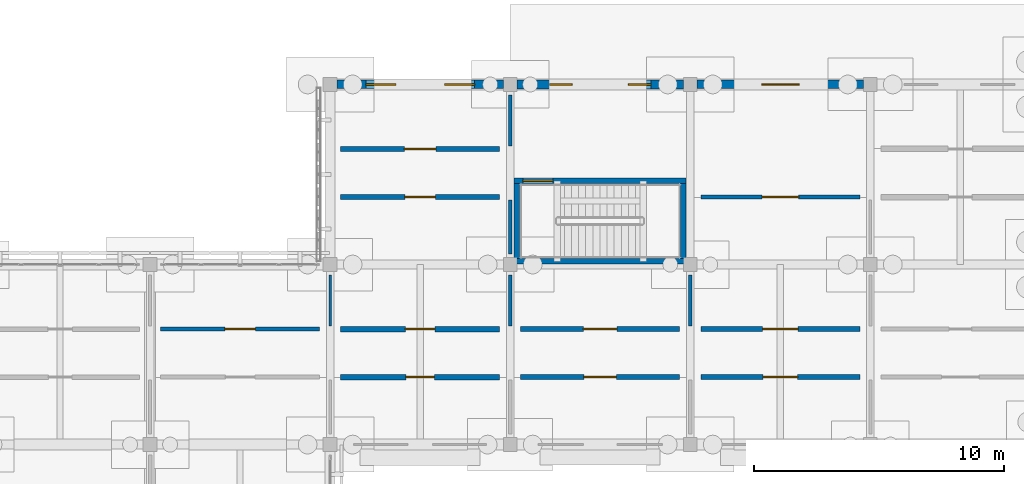
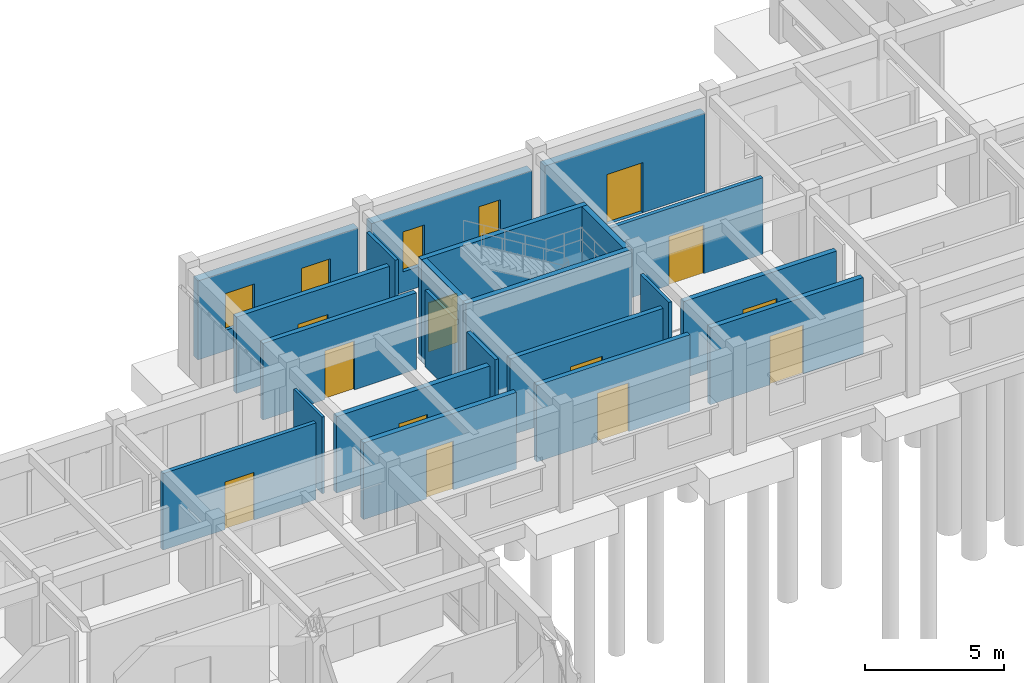
# One storey, part 75 of 111: 22 walls, 12 doors, 4 windows, 16 openings.
"""IFC4 building model written with IfcOpenShell, lengths in metres."""

from ifc_helpers import new_model, si_unit, direction, frame, frame_2d, origin, place, context, subcontext, project, spatial, rectangle, extrude, material, layer, layer_set, type_object, element, fill, save


model = new_model("IFC4")

# Units and contexts
model_context = context("Model", 3, precision=1e-05, world=origin(), true_north=direction((0.0, 1.0)))
body_context = subcontext(model_context, "Body", "Model", "MODEL_VIEW")
ifc_project = project(units=[si_unit("LENGTHUNIT", "METRE"), si_unit("AREAUNIT", "SQUARE_METRE"), si_unit("VOLUMEUNIT", "CUBIC_METRE"), si_unit("PLANEANGLEUNIT", "RADIAN"), si_unit("MASSUNIT", "GRAM", prefix="KILO")], contexts=[model_context])

# Site, building, storey
site_placement = place(None, origin())
site = spatial("IfcSite", under=ifc_project, at=site_placement, CompositionType="ELEMENT")
building_placement = place(site_placement, origin())
building = spatial("IfcBuilding", under=site, at=building_placement, Name="Aldebral Square Health Centre", CompositionType="ELEMENT")
storey_placement = place(building_placement, origin())
storey = spatial("IfcBuildingStorey", under=building, at=storey_placement, Name="L00", CompositionType="ELEMENT", Elevation=0.0)

# Wall, openings, windows
ifc_material_1 = material(Name="Cream cantera stone and concrete wall C35/45", Category="masonry")
ifc_layer_1 = layer(ifc_material_1, 0.340087890625, Name="Cream cantera stone and concrete wall C35/45", Category="masonry")
ifc_layer_set_1 = layer_set([ifc_layer_1], Name="Cream cantera stone and concrete wall C35/45")
wall_type_1 = type_object("IfcWallType", Name="EW-CAN-340", PredefinedType="SOLIDWALL", material=ifc_layer_set_1)
wall_1_placement = place(storey_placement, frame((114.925048828125, 108.0, 0.0), z_axis=(0.0, 0.0, 1.0), x_axis=(-1.0, 0.0, 0.0)))
wall_1 = element("IfcWall", 1, at=wall_1_placement, inside=storey, type_object=wall_type_1, Name="L00 V5 exterior wall L00-V5-15-14-N", PredefinedType="SOLIDWALL", context=body_context, shape_type="SweptSolid", body=[
    extrude(rectangle(XDim=6.650146484375, YDim=0.340087890625, at=frame_2d((3.3251953125, 0.0))), origin(), (0.0, 0.0, 1.0), 3.469970703125),
])
opening_1_placement = place(wall_1_placement, frame((1.14990234375, 0.0, 0.89990234375)))
opening_1 = element("IfcOpeningElement", 2, at=opening_1_placement, cuts=wall_1, Name="Opening W30", PredefinedType="OPENING", context=body_context, shape_type="SweptSolid", body=[
    extrude(rectangle(XDim=1.199951171875, YDim=1.6201171875, at=frame_2d((0.60009765625, 0.81005859375))), frame((0.0, 0.18017578125, 0.0), z_axis=(0.0, -1.0, 0.0), x_axis=(1.0, 0.0, 0.0)), (0.0, 0.0, 1.0), 0.360107421875),
])
opening_2_placement = place(wall_1_placement, frame((4.300048828125, 0.0, 0.89990234375)))
opening_2 = element("IfcOpeningElement", 3, at=opening_2_placement, cuts=wall_1, Name="Opening W30", PredefinedType="OPENING", context=body_context, shape_type="SweptSolid", body=[
    extrude(rectangle(XDim=1.199951171875, YDim=1.6201171875, at=frame_2d((0.60009765625, 0.81005859375))), frame((0.0, 0.18017578125, 0.0), z_axis=(0.0, -1.0, 0.0), x_axis=(1.0, 0.0, 0.0)), (0.0, 0.0, 1.0), 0.360107421875),
])
ifc_material_2 = material(Name="Thermally broken aluminium and low-E glass", Category="aluminium")
window_type_1 = type_object("IfcWindowType", Name="WIN-W30", PartitioningType="SINGLE_PANEL", PredefinedType="WINDOW", material=ifc_material_2)
window_1_placement = place(opening_1_placement, origin())
window_1 = element("IfcWindow", 4, at=window_1_placement, inside=storey, type_object=window_type_1, Name="L00 clinical window L00-V5-15-14-N.1", OverallHeight=1.6201171875, OverallWidth=1.199951171875, PartitioningType="SINGLE_PANEL", PredefinedType="WINDOW", context=body_context, shape_type="SweptSolid", body=[
    extrude(rectangle(XDim=1.199951171875, YDim=1.6201171875, at=frame_2d((0.60009765625, 0.81005859375))), frame((0.0, 0.030029296875, 0.0), z_axis=(0.0, -1.0, 0.0), x_axis=(1.0, 0.0, 0.0)), (0.0, 0.0, 1.0), 0.06005859375),
])
fill(opening_1, window_1)
window_2_placement = place(opening_2_placement, origin())
window_2 = element("IfcWindow", 5, at=window_2_placement, inside=storey, type_object=window_type_1, Name="L00 clinical window L00-V5-15-14-N.2", OverallHeight=1.6201171875, OverallWidth=1.199951171875, PartitioningType="SINGLE_PANEL", PredefinedType="WINDOW", context=body_context, shape_type="SweptSolid", body=[
    extrude(rectangle(XDim=1.199951171875, YDim=1.6201171875, at=frame_2d((0.60009765625, 0.81005859375))), frame((0.0, 0.030029296875, 0.0), z_axis=(0.0, -1.0, 0.0), x_axis=(1.0, 0.0, 0.0)), (0.0, 0.0, 1.0), 0.06005859375),
])
fill(opening_2, window_2)

# Wall, opening, door
wall_2_placement = place(storey_placement, frame((122.675048828125, 108.0, 0.0), z_axis=(0.0, 0.0, 1.0), x_axis=(1.0, 0.0, 0.0)))
wall_2 = element("IfcWall", 6, at=wall_2_placement, inside=storey, type_object=wall_type_1, Name="L00 V5 exterior wall L00-V5-17-14-N", PredefinedType="SOLIDWALL", context=body_context, shape_type="SweptSolid", body=[
    extrude(rectangle(XDim=6.64990234375, YDim=0.340087890625, at=frame_2d((3.324951171875, 0.0))), origin(), (0.0, 0.0, 1.0), 3.469970703125),
])
opening_3_placement = place(wall_2_placement, frame((2.574951171875, 0.0, 0.0)))
opening_3 = element("IfcOpeningElement", 7, at=opening_3_placement, cuts=wall_2, Name="Opening D-EX10", PredefinedType="OPENING", context=body_context, shape_type="SweptSolid", body=[
    extrude(rectangle(XDim=1.5, YDim=2.199951171875, at=frame_2d((0.75, 1.10009765625))), frame((0.0, 0.18017578125, 0.0), z_axis=(0.0, -1.0, 0.0), x_axis=(1.0, 0.0, 0.0)), (0.0, 0.0, 1.0), 0.360107421875),
])
ifc_material_3 = material(Name="Anodised aluminium and laminated safety glass", Category="aluminium")
door_type_1 = type_object("IfcDoorType", Name="DR-EX-150", OperationType="DOUBLE_DOOR_SINGLE_SWING", PredefinedType="DOOR", material=ifc_material_3)
door_1_placement = place(opening_3_placement, origin())
door_1 = element("IfcDoor", 8, at=door_1_placement, inside=storey, type_object=door_type_1, Name="L00 exterior door D-EX10", OperationType="DOUBLE_DOOR_SINGLE_SWING", OverallHeight=2.199951171875, OverallWidth=1.5, PredefinedType="DOOR", context=body_context, shape_type="SweptSolid", body=[
    extrude(rectangle(XDim=1.5, YDim=2.199951171875, at=frame_2d((0.75, 1.10009765625))), frame((0.0, 0.02490234375, 0.0), z_axis=(0.0, -1.0, 0.0), x_axis=(1.0, 0.0, 0.0)), (0.0, 0.0, 1.0), 0.050048828125),
])
fill(opening_3, door_1)

# Wall, openings, windows
ifc_layer_2 = layer(ifc_material_1, 0.360107421875, Name="Cream cantera stone and concrete wall C35/45", Category="masonry")
ifc_layer_set_2 = layer_set([ifc_layer_2], Name="Cream cantera stone and concrete wall C35/45")
wall_type_2 = type_object("IfcWallType", Name="EW-CAN-360", PredefinedType="SOLIDWALL", material=ifc_layer_set_2)
wall_3_placement = place(storey_placement, frame((122.125, 108.0, 0.0), z_axis=(0.0, 0.0, 1.0), x_axis=(-1.0, 0.0, 0.0)))
wall_3 = element("IfcWall", 9, at=wall_3_placement, inside=storey, type_object=wall_type_2, Name="L00 V5 exterior wall L00-V5-16-14-N", PredefinedType="SOLIDWALL", context=body_context, shape_type="SweptSolid", body=[
    extrude(rectangle(XDim=6.64990234375, YDim=0.360107421875, at=frame_2d((3.324951171875, 0.0))), origin(), (0.0, 0.0, 1.0), 3.469970703125),
])
opening_4_placement = place(wall_3_placement, frame((1.300048828125, 0.0, 0.89990234375)))
opening_4 = element("IfcOpeningElement", 10, at=opening_4_placement, cuts=wall_3, Name="Opening W37", PredefinedType="OPENING", context=body_context, shape_type="SweptSolid", body=[
    extrude(rectangle(XDim=0.89990234375, YDim=1.75, at=frame_2d((0.449951171875, 0.875))), frame((0.0, 0.18994140625, 0.0), z_axis=(0.0, -1.0, 0.0), x_axis=(1.0, 0.0, 0.0)), (0.0, 0.0, 1.0), 0.380126953125),
])
opening_5_placement = place(wall_3_placement, frame((4.449951171875, 0.0, 0.89990234375)))
opening_5 = element("IfcOpeningElement", 11, at=opening_5_placement, cuts=wall_3, Name="Opening W37", PredefinedType="OPENING", context=body_context, shape_type="SweptSolid", body=[
    extrude(rectangle(XDim=0.89990234375, YDim=1.75, at=frame_2d((0.449951171875, 0.875))), frame((0.0, 0.18994140625, 0.0), z_axis=(0.0, -1.0, 0.0), x_axis=(1.0, 0.0, 0.0)), (0.0, 0.0, 1.0), 0.380126953125),
])
window_type_2 = type_object("IfcWindowType", Name="WIN-W37", PartitioningType="SINGLE_PANEL", PredefinedType="WINDOW", material=ifc_material_2)
window_3_placement = place(opening_4_placement, origin())
window_3 = element("IfcWindow", 12, at=window_3_placement, inside=storey, type_object=window_type_2, Name="L00 clinical window L00-V5-16-14-N.1", OverallHeight=1.75, OverallWidth=0.89990234375, PartitioningType="SINGLE_PANEL", PredefinedType="WINDOW", context=body_context, shape_type="SweptSolid", body=[
    extrude(rectangle(XDim=0.89990234375, YDim=1.75, at=frame_2d((0.449951171875, 0.875))), frame((0.0, 0.030029296875, 0.0), z_axis=(0.0, -1.0, 0.0), x_axis=(1.0, 0.0, 0.0)), (0.0, 0.0, 1.0), 0.06005859375),
])
fill(opening_4, window_3)
window_4_placement = place(opening_5_placement, origin())
window_4 = element("IfcWindow", 13, at=window_4_placement, inside=storey, type_object=window_type_2, Name="L00 clinical window L00-V5-16-14-N.2", OverallHeight=1.75, OverallWidth=0.89990234375, PartitioningType="SINGLE_PANEL", PredefinedType="WINDOW", context=body_context, shape_type="SweptSolid", body=[
    extrude(rectangle(XDim=0.89990234375, YDim=1.75, at=frame_2d((0.449951171875, 0.875))), frame((0.0, 0.030029296875, 0.0), z_axis=(0.0, -1.0, 0.0), x_axis=(1.0, 0.0, 0.0)), (0.0, 0.0, 1.0), 0.06005859375),
])
fill(opening_5, window_4)

# Wall, opening, door
ifc_material_4 = material(Name="Concrete C35/45 compartment wall", Category="concrete")
ifc_layer_3 = layer(ifc_material_4, 0.199951171875, Name="Concrete C35/45 compartment wall", Category="concrete")
ifc_layer_set_3 = layer_set([ifc_layer_3], Name="Concrete C35/45 compartment wall")
wall_type_3 = type_object("IfcWallType", Name="IW-CMP-200", PredefinedType="SOLIDWALL", material=ifc_layer_set_3)
wall_4_placement = place(storey_placement, frame((108.419921875, 103.5, 0.0), z_axis=(0.0, 0.0, 1.0), x_axis=(1.0, 0.0, 0.0)))
wall_4 = element("IfcWall", 14, at=wall_4_placement, inside=storey, type_object=wall_type_3, Name="L00 Lactation Counseling Room 16.15S corridor wall", PredefinedType="SOLIDWALL", context=body_context, shape_type="SweptSolid", body=[
    extrude(rectangle(XDim=6.360107421875, YDim=0.199951171875, at=frame_2d((3.18017578125, 0.0))), origin(), (0.0, 0.0, 1.0), 3.360107421875),
])
opening_6_placement = place(wall_4_placement, frame((2.570068359375, 0.0, 0.0)))
opening_6 = element("IfcOpeningElement", 15, at=opening_6_placement, cuts=wall_4, Name="Opening D-0124", PredefinedType="OPENING", context=body_context, shape_type="SweptSolid", body=[
    extrude(rectangle(XDim=1.219970703125, YDim=2.139892578125, at=frame_2d((0.60986328125, 1.06982421875))), frame((0.0, 0.10986328125, 0.0), z_axis=(0.0, -1.0, 0.0), x_axis=(1.0, 0.0, 0.0)), (0.0, 0.0, 1.0), 0.219970703125),
])
ifc_material_5 = material(Name="Clinical suite fire door")
door_type_2 = type_object("IfcDoorType", Name="ID-EXD-40", OperationType="NOTDEFINED", PredefinedType="DOOR", material=ifc_material_5)
door_2_placement = place(opening_6_placement, origin())
door_2 = element("IfcDoor", 16, at=door_2_placement, inside=storey, type_object=door_type_2, Name="L00 Lactation Counseling Room 16.15S door", OperationType="SINGLE_SWING_LEFT", OverallHeight=2.139892578125, OverallWidth=1.219970703125, PredefinedType="DOOR", context=body_context, shape_type="SweptSolid", body=[
    extrude(rectangle(XDim=1.219970703125, YDim=2.139892578125, at=frame_2d((0.60986328125, 1.06982421875))), frame((0.0, 0.02490234375, 0.0), z_axis=(0.0, -1.0, 0.0), x_axis=(1.0, 0.0, 0.0)), (0.0, 0.0, 1.0), 0.050048828125),
])
fill(opening_6, door_2)

wall_5_placement = place(storey_placement, frame((108.419921875, 105.419921875, 0.0), z_axis=(0.0, 0.0, 1.0), x_axis=(1.0, 0.0, 0.0)))
wall_5 = element("IfcWall", 17, at=wall_5_placement, inside=storey, type_object=wall_type_3, Name="L00 Outpatient Blood Draw 16.15N corridor wall", PredefinedType="SOLIDWALL", context=body_context, shape_type="SweptSolid", body=[
    extrude(rectangle(XDim=6.360107421875, YDim=0.199951171875, at=frame_2d((3.18017578125, 0.0))), origin(), (0.0, 0.0, 1.0), 3.360107421875),
])
opening_7_placement = place(wall_5_placement, frame((2.550048828125, 0.0, 0.0)))
opening_7 = element("IfcOpeningElement", 18, at=opening_7_placement, cuts=wall_5, Name="Opening D-0125", PredefinedType="OPENING", context=body_context, shape_type="SweptSolid", body=[
    extrude(rectangle(XDim=1.260009765625, YDim=2.139892578125, at=frame_2d((0.6298828125, 1.06982421875))), frame((0.0, 0.10986328125, 0.0), z_axis=(0.0, -1.0, 0.0), x_axis=(1.0, 0.0, 0.0)), (0.0, 0.0, 1.0), 0.219970703125),
])
door_type_3 = type_object("IfcDoorType", Name="ID-EXD-41", OperationType="NOTDEFINED", PredefinedType="DOOR", material=ifc_material_5)
door_3_placement = place(opening_7_placement, origin())
door_3 = element("IfcDoor", 19, at=door_3_placement, inside=storey, type_object=door_type_3, Name="L00 Outpatient Blood Draw 16.15N door", OperationType="SINGLE_SWING_RIGHT", OverallHeight=2.139892578125, OverallWidth=1.260009765625, PredefinedType="DOOR", context=body_context, shape_type="SweptSolid", body=[
    extrude(rectangle(XDim=1.260009765625, YDim=2.139892578125, at=frame_2d((0.6298828125, 1.06982421875))), frame((0.0, 0.02490234375, 0.0), z_axis=(0.0, -1.0, 0.0), x_axis=(1.0, 0.0, 0.0)), (0.0, 0.0, 1.0), 0.050048828125),
])
fill(opening_7, door_3)

wall_6_placement = place(storey_placement, frame((115.6201171875, 96.300048828125, 0.0), z_axis=(0.0, 0.0, 1.0), x_axis=(1.0, 0.0, 0.0)))
wall_6 = element("IfcWall", 20, at=wall_6_placement, inside=storey, type_object=wall_type_3, Name="L00 Medical Records Archive 17.14S corridor wall", PredefinedType="SOLIDWALL", context=body_context, shape_type="SweptSolid", body=[
    extrude(rectangle(XDim=6.35986328125, YDim=0.199951171875, at=frame_2d((3.179931640625, 0.0))), origin(), (0.0, 0.0, 1.0), 3.360107421875),
])
opening_8_placement = place(wall_6_placement, frame((2.530029296875, 0.0, 0.0)))
opening_8 = element("IfcOpeningElement", 21, at=opening_8_placement, cuts=wall_6, Name="Opening D-0126", PredefinedType="OPENING", context=body_context, shape_type="SweptSolid", body=[
    extrude(rectangle(XDim=1.300048828125, YDim=2.139892578125, at=frame_2d((0.64990234375, 1.06982421875))), frame((0.0, 0.10986328125, 0.0), z_axis=(0.0, -1.0, 0.0), x_axis=(1.0, 0.0, 0.0)), (0.0, 0.0, 1.0), 0.219970703125),
])
door_type_4 = type_object("IfcDoorType", Name="ID-EXD-42", OperationType="NOTDEFINED", PredefinedType="DOOR", material=ifc_material_5)
door_4_placement = place(opening_8_placement, origin())
door_4 = element("IfcDoor", 22, at=door_4_placement, inside=storey, type_object=door_type_4, Name="L00 Medical Records Archive 17.14S door", OperationType="SINGLE_SWING_LEFT", OverallHeight=2.139892578125, OverallWidth=1.300048828125, PredefinedType="DOOR", context=body_context, shape_type="SweptSolid", body=[
    extrude(rectangle(XDim=1.300048828125, YDim=2.139892578125, at=frame_2d((0.64990234375, 1.06982421875))), frame((0.0, 0.02490234375, 0.0), z_axis=(0.0, -1.0, 0.0), x_axis=(1.0, 0.0, 0.0)), (0.0, 0.0, 1.0), 0.050048828125),
])
fill(opening_8, door_4)

wall_7_placement = place(storey_placement, frame((115.6201171875, 98.219970703125, 0.0), z_axis=(0.0, 0.0, 1.0), x_axis=(1.0, 0.0, 0.0)))
wall_7 = element("IfcWall", 23, at=wall_7_placement, inside=storey, type_object=wall_type_3, Name="L00 Standby Power Plant Room 17.14N corridor wall", PredefinedType="SOLIDWALL", context=body_context, shape_type="SweptSolid", body=[
    extrude(rectangle(XDim=6.35986328125, YDim=0.199951171875, at=frame_2d((3.179931640625, 0.0))), origin(), (0.0, 0.0, 1.0), 3.360107421875),
])
opening_9_placement = place(wall_7_placement, frame((2.510009765625, 0.0, 0.0)))
opening_9 = element("IfcOpeningElement", 24, at=opening_9_placement, cuts=wall_7, Name="Opening D-0127", PredefinedType="OPENING", context=body_context, shape_type="SweptSolid", body=[
    extrude(rectangle(XDim=1.340087890625, YDim=2.139892578125, at=frame_2d((0.669921875, 1.06982421875))), frame((0.0, 0.10986328125, 0.0), z_axis=(0.0, -1.0, 0.0), x_axis=(1.0, 0.0, 0.0)), (0.0, 0.0, 1.0), 0.219970703125),
])
door_type_5 = type_object("IfcDoorType", Name="ID-EXD-43", OperationType="NOTDEFINED", PredefinedType="DOOR", material=ifc_material_5)
door_5_placement = place(opening_9_placement, origin())
door_5 = element("IfcDoor", 25, at=door_5_placement, inside=storey, type_object=door_type_5, Name="L00 Standby Power Plant Room 17.14N door", OperationType="SINGLE_SWING_RIGHT", OverallHeight=2.139892578125, OverallWidth=1.340087890625, PredefinedType="DOOR", context=body_context, shape_type="SweptSolid", body=[
    extrude(rectangle(XDim=1.340087890625, YDim=2.139892578125, at=frame_2d((0.669921875, 1.06982421875))), frame((0.0, 0.02490234375, 0.0), z_axis=(0.0, -1.0, 0.0), x_axis=(1.0, 0.0, 0.0)), (0.0, 0.0, 1.0), 0.050048828125),
])
fill(opening_9, door_5)

ifc_layer_4 = layer(ifc_material_4, 0.219970703125, Name="Concrete C35/45 compartment wall", Category="concrete")
ifc_layer_set_4 = layer_set([ifc_layer_4], Name="Concrete C35/45 compartment wall")
wall_type_4 = type_object("IfcWallType", Name="IW-CMP-220", PredefinedType="SOLIDWALL", material=ifc_layer_set_4)
wall_8_placement = place(storey_placement, frame((108.419921875, 96.300048828125, 0.0), z_axis=(0.0, 0.0, 1.0), x_axis=(1.0, 0.0, 0.0)))
wall_8 = element("IfcWall", 26, at=wall_8_placement, inside=storey, type_object=wall_type_4, Name="L00 Maternal-Child Clinic 16.14S corridor wall", PredefinedType="SOLIDWALL", context=body_context, shape_type="SweptSolid", body=[
    extrude(rectangle(XDim=6.360107421875, YDim=0.219970703125, at=frame_2d((3.18017578125, 0.0))), origin(), (0.0, 0.0, 1.0), 3.360107421875),
])
opening_10_placement = place(wall_8_placement, frame((2.610107421875, 0.0, 0.0)))
opening_10 = element("IfcOpeningElement", 27, at=opening_10_placement, cuts=wall_8, Name="Opening D-0122", PredefinedType="OPENING", context=body_context, shape_type="SweptSolid", body=[
    extrude(rectangle(XDim=1.139892578125, YDim=2.139892578125, at=frame_2d((0.56982421875, 1.06982421875))), frame((0.0, 0.1201171875, 0.0), z_axis=(0.0, -1.0, 0.0), x_axis=(1.0, 0.0, 0.0)), (0.0, 0.0, 1.0), 0.239990234375),
])
door_type_6 = type_object("IfcDoorType", Name="ID-EXD-38", OperationType="NOTDEFINED", PredefinedType="DOOR", material=ifc_material_5)
door_6_placement = place(opening_10_placement, origin())
door_6 = element("IfcDoor", 28, at=door_6_placement, inside=storey, type_object=door_type_6, Name="L00 Maternal-Child Clinic 16.14S door", OperationType="SINGLE_SWING_LEFT", OverallHeight=2.139892578125, OverallWidth=1.139892578125, PredefinedType="DOOR", context=body_context, shape_type="SweptSolid", body=[
    extrude(rectangle(XDim=1.139892578125, YDim=2.139892578125, at=frame_2d((0.56982421875, 1.06982421875))), frame((0.0, 0.02490234375, 0.0), z_axis=(0.0, -1.0, 0.0), x_axis=(1.0, 0.0, 0.0)), (0.0, 0.0, 1.0), 0.050048828125),
])
fill(opening_10, door_6)

wall_9_placement = place(storey_placement, frame((108.419921875, 98.219970703125, 0.0), z_axis=(0.0, 0.0, 1.0), x_axis=(1.0, 0.0, 0.0)))
wall_9 = element("IfcWall", 29, at=wall_9_placement, inside=storey, type_object=wall_type_4, Name="L00 Prenatal Ultrasound Room 16.14N corridor wall", PredefinedType="SOLIDWALL", context=body_context, shape_type="SweptSolid", body=[
    extrude(rectangle(XDim=6.360107421875, YDim=0.219970703125, at=frame_2d((3.18017578125, 0.0))), origin(), (0.0, 0.0, 1.0), 3.360107421875),
])
opening_11_placement = place(wall_9_placement, frame((2.590087890625, 0.0, 0.0)))
opening_11 = element("IfcOpeningElement", 30, at=opening_11_placement, cuts=wall_9, Name="Opening D-0123", PredefinedType="OPENING", context=body_context, shape_type="SweptSolid", body=[
    extrude(rectangle(XDim=1.179931640625, YDim=2.139892578125, at=frame_2d((0.58984375, 1.06982421875))), frame((0.0, 0.1201171875, 0.0), z_axis=(0.0, -1.0, 0.0), x_axis=(1.0, 0.0, 0.0)), (0.0, 0.0, 1.0), 0.239990234375),
])
door_type_7 = type_object("IfcDoorType", Name="ID-EXD-39", OperationType="NOTDEFINED", PredefinedType="DOOR", material=ifc_material_5)
door_7_placement = place(opening_11_placement, origin())
door_7 = element("IfcDoor", 31, at=door_7_placement, inside=storey, type_object=door_type_7, Name="L00 Prenatal Ultrasound Room 16.14N door", OperationType="SINGLE_SWING_RIGHT", OverallHeight=2.139892578125, OverallWidth=1.179931640625, PredefinedType="DOOR", context=body_context, shape_type="SweptSolid", body=[
    extrude(rectangle(XDim=1.179931640625, YDim=2.139892578125, at=frame_2d((0.58984375, 1.06982421875))), frame((0.0, 0.02490234375, 0.0), z_axis=(0.0, -1.0, 0.0), x_axis=(1.0, 0.0, 0.0)), (0.0, 0.0, 1.0), 0.050048828125),
])
fill(opening_11, door_7)

ifc_material_6 = material(Name="Fire-rated acoustic gypsum partition")
ifc_layer_5 = layer(ifc_material_6, 0.1650390625, Name="Fire-rated acoustic gypsum partition")
ifc_layer_set_5 = layer_set([ifc_layer_5], Name="Fire-rated acoustic gypsum partition")
wall_type_5 = type_object("IfcWallType", Name="IW-COR-165", PredefinedType="PARTITIONING", material=ifc_layer_set_5)
wall_10_placement = place(storey_placement, frame((101.219970703125, 98.219970703125, 0.0), z_axis=(0.0, 0.0, 1.0), x_axis=(1.0, 0.0, 0.0)))
wall_10 = element("IfcWall", 32, at=wall_10_placement, inside=storey, type_object=wall_type_5, Name="L00 Outpatient Registration 15.14N corridor wall", PredefinedType="PARTITIONING", context=body_context, shape_type="SweptSolid", body=[
    extrude(rectangle(XDim=6.360107421875, YDim=0.1650390625, at=frame_2d((3.18017578125, 0.0))), origin(), (0.0, 0.0, 1.0), 3.360107421875),
])
opening_12_placement = place(wall_10_placement, frame((2.570068359375, 0.0, 0.0)))
opening_12 = element("IfcOpeningElement", 33, at=opening_12_placement, cuts=wall_10, Name="Opening D-FD60-29", PredefinedType="OPENING", context=body_context, shape_type="SweptSolid", body=[
    extrude(rectangle(XDim=1.219970703125, YDim=2.090087890625, at=frame_2d((0.60986328125, 1.044921875))), frame((0.0, 0.092529296875, 0.0), z_axis=(0.0, -1.0, 0.0), x_axis=(1.0, 0.0, 0.0)), (0.0, 0.0, 1.0), 0.18505859375),
])
door_type_8 = type_object("IfcDoorType", Name="ID-EXD-24", OperationType="NOTDEFINED", PredefinedType="DOOR", material=ifc_material_5)
door_8_placement = place(opening_12_placement, origin())
door_8 = element("IfcDoor", 34, at=door_8_placement, inside=storey, type_object=door_type_8, Name="L00 Outpatient Registration 15.14N door", OperationType="SINGLE_SWING_RIGHT", OverallHeight=2.090087890625, OverallWidth=1.219970703125, PredefinedType="DOOR", context=body_context, shape_type="SweptSolid", body=[
    extrude(rectangle(XDim=1.219970703125, YDim=2.090087890625, at=frame_2d((0.60986328125, 1.044921875))), frame((0.0, 0.02490234375, 0.0), z_axis=(0.0, -1.0, 0.0), x_axis=(1.0, 0.0, 0.0)), (0.0, 0.0, 1.0), 0.050048828125),
])
fill(opening_12, door_8)

wall_11_placement = place(storey_placement, frame((122.820068359375, 103.5, 0.0), z_axis=(0.0, 0.0, 1.0), x_axis=(1.0, 0.0, 0.0)))
wall_11 = element("IfcWall", 35, at=wall_11_placement, inside=storey, type_object=wall_type_5, Name="L00 Maternal-Child Clinic 18.15S corridor wall", PredefinedType="PARTITIONING", context=body_context, shape_type="SweptSolid", body=[
    extrude(rectangle(XDim=6.35986328125, YDim=0.1650390625, at=frame_2d((3.179931640625, 0.0))), origin(), (0.0, 0.0, 1.0), 3.360107421875),
])
opening_13_placement = place(wall_11_placement, frame((2.449951171875, 0.0, 0.0)))
opening_13 = element("IfcOpeningElement", 36, at=opening_13_placement, cuts=wall_11, Name="Opening D-0130", PredefinedType="OPENING", context=body_context, shape_type="SweptSolid", body=[
    extrude(rectangle(XDim=1.4599609375, YDim=2.139892578125, at=frame_2d((0.72998046875, 1.06982421875))), frame((0.0, 0.092529296875, 0.0), z_axis=(0.0, -1.0, 0.0), x_axis=(1.0, 0.0, 0.0)), (0.0, 0.0, 1.0), 0.18505859375),
])
door_type_9 = type_object("IfcDoorType", Name="ID-EXD-46", OperationType="NOTDEFINED", PredefinedType="DOOR", material=ifc_material_5)
door_9_placement = place(opening_13_placement, origin())
door_9 = element("IfcDoor", 37, at=door_9_placement, inside=storey, type_object=door_type_9, Name="L00 Maternal-Child Clinic 18.15S door", OperationType="SINGLE_SWING_LEFT", OverallHeight=2.139892578125, OverallWidth=1.4599609375, PredefinedType="DOOR", context=body_context, shape_type="SweptSolid", body=[
    extrude(rectangle(XDim=1.4599609375, YDim=2.139892578125, at=frame_2d((0.72998046875, 1.06982421875))), frame((0.0, 0.02490234375, 0.0), z_axis=(0.0, -1.0, 0.0), x_axis=(1.0, 0.0, 0.0)), (0.0, 0.0, 1.0), 0.050048828125),
])
fill(opening_13, door_9)

# Wall
ifc_material_7 = material(Name="Concrete C40/50", Category="concrete")
ifc_layer_6 = layer(ifc_material_7, 0.219970703125, Name="Concrete C40/50", Category="concrete")
ifc_layer_set_6 = layer_set([ifc_layer_6], Name="Concrete C40/50")
wall_type_6 = type_object("IfcWallType", Name="IW-CORE-280", PredefinedType="SHEAR", material=ifc_layer_set_6)
wall_12_placement = place(storey_placement, frame((115.360107421875, 100.929931640625, -0.25), z_axis=(0.0, 0.0, 1.0), x_axis=(1.0, 0.0, 0.0)))
element("IfcWall", 38, at=wall_12_placement, inside=storey, type_object=wall_type_6, Name="L00 WS-S10 shaft wall S", PredefinedType="SHEAR", context=body_context, shape_type="SweptSolid", body=[
    extrude(rectangle(XDim=6.8798828125, YDim=0.219970703125, at=frame_2d((3.43994140625, 0.0))), origin(), (0.0, 0.0, 1.0), 4.469970703125),
])

# Wall, opening, door
wall_13_placement = place(storey_placement, frame((115.360107421875, 104.14990234375, -0.25), z_axis=(0.0, 0.0, 1.0), x_axis=(1.0, 0.0, 0.0)))
wall_13 = element("IfcWall", 39, at=wall_13_placement, inside=storey, type_object=wall_type_6, Name="L00 WS-S10 shaft wall N", PredefinedType="SHEAR", context=body_context, shape_type="SweptSolid", body=[
    extrude(rectangle(XDim=6.8798828125, YDim=0.219970703125, at=frame_2d((3.43994140625, 0.0))), origin(), (0.0, 0.0, 1.0), 4.469970703125),
])
opening_14_placement = place(wall_13_placement, frame((0.35009765625, 0.0, 0.25)))
opening_14 = element("IfcOpeningElement", 40, at=opening_14_placement, cuts=wall_13, Name="Opening D-0075", PredefinedType="OPENING", context=body_context, shape_type="SweptSolid", body=[
    extrude(rectangle(XDim=1.199951171875, YDim=2.14990234375, at=frame_2d((0.60009765625, 1.074951171875))), frame((0.0, 0.1201171875, 0.0), z_axis=(0.0, -1.0, 0.0), x_axis=(1.0, 0.0, 0.0)), (0.0, 0.0, 1.0), 0.239990234375),
])
ifc_material_8 = material(Name="Fire-rated steel stair door", Category="steel")
door_type_10 = type_object("IfcDoorType", Name="ID-ST-120", OperationType="NOTDEFINED", PredefinedType="DOOR", material=ifc_material_8)
door_10_placement = place(opening_14_placement, origin())
door_10 = element("IfcDoor", 41, at=door_10_placement, inside=storey, type_object=door_type_10, Name="L00 ST-10 fire door", OperationType="SINGLE_SWING_LEFT", OverallHeight=2.14990234375, OverallWidth=1.199951171875, PredefinedType="DOOR", context=body_context, shape_type="SweptSolid", body=[
    extrude(rectangle(XDim=1.199951171875, YDim=2.14990234375, at=frame_2d((0.60009765625, 1.074951171875))), frame((0.0, 0.02490234375, 0.0), z_axis=(0.0, -1.0, 0.0), x_axis=(1.0, 0.0, 0.0)), (0.0, 0.0, 1.0), 0.050048828125),
])
fill(opening_14, door_10)

# Walls
for number, where, z_axis, x_axis, name in (
    (42, (115.469970703125, 101.0400390625, -0.25), (0.0, 0.0, 1.0), (0.0, 1.0, 0.0), "L00 WS-S10 shaft wall W"),
    (43, (122.1298828125, 101.0400390625, -0.25), (0.0, 0.0, 1.0), (0.0, 1.0, 0.0), "L00 WS-S10 shaft wall E"),
):
    element("IfcWall", number, at=place(storey_placement, frame(where, z_axis=z_axis, x_axis=x_axis)), inside=storey, type_object=wall_type_6, Name=name, PredefinedType="SHEAR", context=body_context, shape_type="SweptSolid", body=[
        extrude(rectangle(XDim=3.0, YDim=0.219970703125, at=frame_2d((1.5, 0.0))), origin(), (0.0, 0.0, 1.0), 4.469970703125),
    ])

# Wall, opening, door
ifc_material_9 = material(Name="Moisture-resistant sanitary chase wall")
ifc_layer_7 = layer(ifc_material_9, 0.2099609375, Name="Moisture-resistant sanitary chase wall")
ifc_layer_set_7 = layer_set([ifc_layer_7], Name="Moisture-resistant sanitary chase wall")
wall_type_7 = type_object("IfcWallType", Name="IW-PLB-210", PredefinedType="PLUMBINGWALL", material=ifc_layer_set_7)
wall_14_placement = place(storey_placement, frame((122.820068359375, 96.300048828125, 0.0), z_axis=(0.0, 0.0, 1.0), x_axis=(1.0, 0.0, 0.0)))
wall_14 = element("IfcWall", 44, at=wall_14_placement, inside=storey, type_object=wall_type_7, Name="L00 Accessible WC 18.14S corridor wall", PredefinedType="PLUMBINGWALL", context=body_context, shape_type="SweptSolid", body=[
    extrude(rectangle(XDim=6.35986328125, YDim=0.2099609375, at=frame_2d((3.179931640625, 0.0))), origin(), (0.0, 0.0, 1.0), 3.360107421875),
])
opening_15_placement = place(wall_14_placement, frame((2.489990234375, 0.0, 0.0)))
opening_15 = element("IfcOpeningElement", 45, at=opening_15_placement, cuts=wall_14, Name="Opening D-0128", PredefinedType="OPENING", context=body_context, shape_type="SweptSolid", body=[
    extrude(rectangle(XDim=1.3798828125, YDim=2.139892578125, at=frame_2d((0.68994140625, 1.06982421875))), frame((0.0, 0.114990234375, 0.0), z_axis=(0.0, -1.0, 0.0), x_axis=(1.0, 0.0, 0.0)), (0.0, 0.0, 1.0), 0.22998046875),
])
door_type_11 = type_object("IfcDoorType", Name="ID-EXD-44", OperationType="NOTDEFINED", PredefinedType="DOOR", material=ifc_material_5)
door_11_placement = place(opening_15_placement, origin())
door_11 = element("IfcDoor", 46, at=door_11_placement, inside=storey, type_object=door_type_11, Name="L00 Accessible WC 18.14S door", OperationType="SINGLE_SWING_LEFT", OverallHeight=2.139892578125, OverallWidth=1.3798828125, PredefinedType="DOOR", context=body_context, shape_type="SweptSolid", body=[
    extrude(rectangle(XDim=1.3798828125, YDim=2.139892578125, at=frame_2d((0.68994140625, 1.06982421875))), frame((0.0, 0.02490234375, 0.0), z_axis=(0.0, -1.0, 0.0), x_axis=(1.0, 0.0, 0.0)), (0.0, 0.0, 1.0), 0.050048828125),
])
fill(opening_15, door_11)

wall_15_placement = place(storey_placement, frame((122.820068359375, 98.219970703125, 0.0), z_axis=(0.0, 0.0, 1.0), x_axis=(1.0, 0.0, 0.0)))
wall_15 = element("IfcWall", 47, at=wall_15_placement, inside=storey, type_object=wall_type_7, Name="L00 Public Toilet 18.14N corridor wall", PredefinedType="PLUMBINGWALL", context=body_context, shape_type="SweptSolid", body=[
    extrude(rectangle(XDim=6.35986328125, YDim=0.2099609375, at=frame_2d((3.179931640625, 0.0))), origin(), (0.0, 0.0, 1.0), 3.360107421875),
])
opening_16_placement = place(wall_15_placement, frame((2.469970703125, 0.0, 0.0)))
opening_16 = element("IfcOpeningElement", 48, at=opening_16_placement, cuts=wall_15, Name="Opening D-0129", PredefinedType="OPENING", context=body_context, shape_type="SweptSolid", body=[
    extrude(rectangle(XDim=1.419921875, YDim=2.139892578125, at=frame_2d((0.7099609375, 1.06982421875))), frame((0.0, 0.114990234375, 0.0), z_axis=(0.0, -1.0, 0.0), x_axis=(1.0, 0.0, 0.0)), (0.0, 0.0, 1.0), 0.22998046875),
])
door_type_12 = type_object("IfcDoorType", Name="ID-EXD-45", OperationType="NOTDEFINED", PredefinedType="DOOR", material=ifc_material_5)
door_12_placement = place(opening_16_placement, origin())
door_12 = element("IfcDoor", 49, at=door_12_placement, inside=storey, type_object=door_type_12, Name="L00 Public Toilet 18.14N door", OperationType="SINGLE_SWING_RIGHT", OverallHeight=2.139892578125, OverallWidth=1.419921875, PredefinedType="DOOR", context=body_context, shape_type="SweptSolid", body=[
    extrude(rectangle(XDim=1.419921875, YDim=2.139892578125, at=frame_2d((0.7099609375, 1.06982421875))), frame((0.0, 0.02490234375, 0.0), z_axis=(0.0, -1.0, 0.0), x_axis=(1.0, 0.0, 0.0)), (0.0, 0.0, 1.0), 0.050048828125),
])
fill(opening_16, door_12)

# Walls
ifc_material_10 = material(Name="Lightweight clinical partition")
ifc_layer_8 = layer(ifc_material_10, 0.10498046875, Name="Lightweight clinical partition")
ifc_layer_set_8 = layer_set([ifc_layer_8], Name="Lightweight clinical partition")
wall_type_8 = type_object("IfcWallType", Name="IW-PRT-105", PredefinedType="PARTITIONING", material=ifc_layer_set_8)
wall_16_placement = place(storey_placement, frame((108.0, 98.340087890625, 0.0), z_axis=(0.0, 0.0, 1.0), x_axis=(0.0, 1.0, 0.0)))
element("IfcWall", 50, at=wall_16_placement, inside=storey, type_object=wall_type_8, Name="L00 Outpatient Registration 15.14N demising partition", PredefinedType="PARTITIONING", context=body_context, shape_type="SweptSolid", body=[
    extrude(rectangle(XDim=2.039794921875, YDim=0.10498046875, at=frame_2d((1.02001953125, 0.0))), origin(), (0.0, 0.0, 1.0), 3.360107421875),
])
ifc_material_11 = material(Name="Acoustic clinical gypsum partition")
ifc_layer_9 = layer(ifc_material_11, 0.135009765625, Name="Acoustic clinical gypsum partition")
ifc_layer_set_9 = layer_set([ifc_layer_9], Name="Acoustic clinical gypsum partition")
wall_type_9 = type_object("IfcWallType", Name="IW-PRT-135", PredefinedType="PARTITIONING", material=ifc_layer_set_9)
wall_17_placement = place(storey_placement, frame((115.199951171875, 101.219970703125, 0.0), z_axis=(0.0, 0.0, 1.0), x_axis=(0.0, 1.0, 0.0)))
element("IfcWall", 51, at=wall_17_placement, inside=storey, type_object=wall_type_9, Name="L00 Lactation Counseling Room 16.15S demising partition", PredefinedType="PARTITIONING", context=body_context, shape_type="SweptSolid", body=[
    extrude(rectangle(XDim=2.159912109375, YDim=0.135009765625, at=frame_2d((1.080078125, 0.0))), origin(), (0.0, 0.0, 1.0), 3.360107421875),
])
wall_18_placement = place(storey_placement, frame((115.199951171875, 105.5400390625, 0.0), z_axis=(0.0, 0.0, 1.0), x_axis=(0.0, 1.0, 0.0)))
element("IfcWall", 52, at=wall_18_placement, inside=storey, type_object=wall_type_9, Name="L00 Outpatient Blood Draw 16.15N demising partition", PredefinedType="PARTITIONING", context=body_context, shape_type="SweptSolid", body=[
    extrude(rectangle(XDim=2.0400390625, YDim=0.135009765625, at=frame_2d((1.02001953125, 0.0))), origin(), (0.0, 0.0, 1.0), 3.360107421875),
])
wall_19_placement = place(storey_placement, frame((122.39990234375, 98.340087890625, 0.0), z_axis=(0.0, 0.0, 1.0), x_axis=(0.0, 1.0, 0.0)))
element("IfcWall", 53, at=wall_19_placement, inside=storey, type_object=wall_type_9, Name="L00 Standby Power Plant Room 17.14N demising partition", PredefinedType="PARTITIONING", context=body_context, shape_type="SweptSolid", body=[
    extrude(rectangle(XDim=2.039794921875, YDim=0.135009765625, at=frame_2d((1.02001953125, 0.0))), origin(), (0.0, 0.0, 1.0), 3.360107421875),
])
ifc_layer_10 = layer(ifc_material_11, 0.14990234375, Name="Acoustic clinical gypsum partition")
ifc_layer_set_10 = layer_set([ifc_layer_10], Name="Acoustic clinical gypsum partition")
wall_type_10 = type_object("IfcWallType", Name="IW-PRT-150", PredefinedType="PARTITIONING", material=ifc_layer_set_10)
wall_20_placement = place(storey_placement, frame((115.199951171875, 98.340087890625, 0.0), z_axis=(0.0, 0.0, 1.0), x_axis=(0.0, 1.0, 0.0)))
element("IfcWall", 54, at=wall_20_placement, inside=storey, type_object=wall_type_10, Name="L00 Prenatal Ultrasound Room 16.14N demising partition", PredefinedType="PARTITIONING", context=body_context, shape_type="SweptSolid", body=[
    extrude(rectangle(XDim=2.039794921875, YDim=0.14990234375, at=frame_2d((1.02001953125, 0.0))), origin(), (0.0, 0.0, 1.0), 3.360107421875),
])

save(model, "model.ifc")
